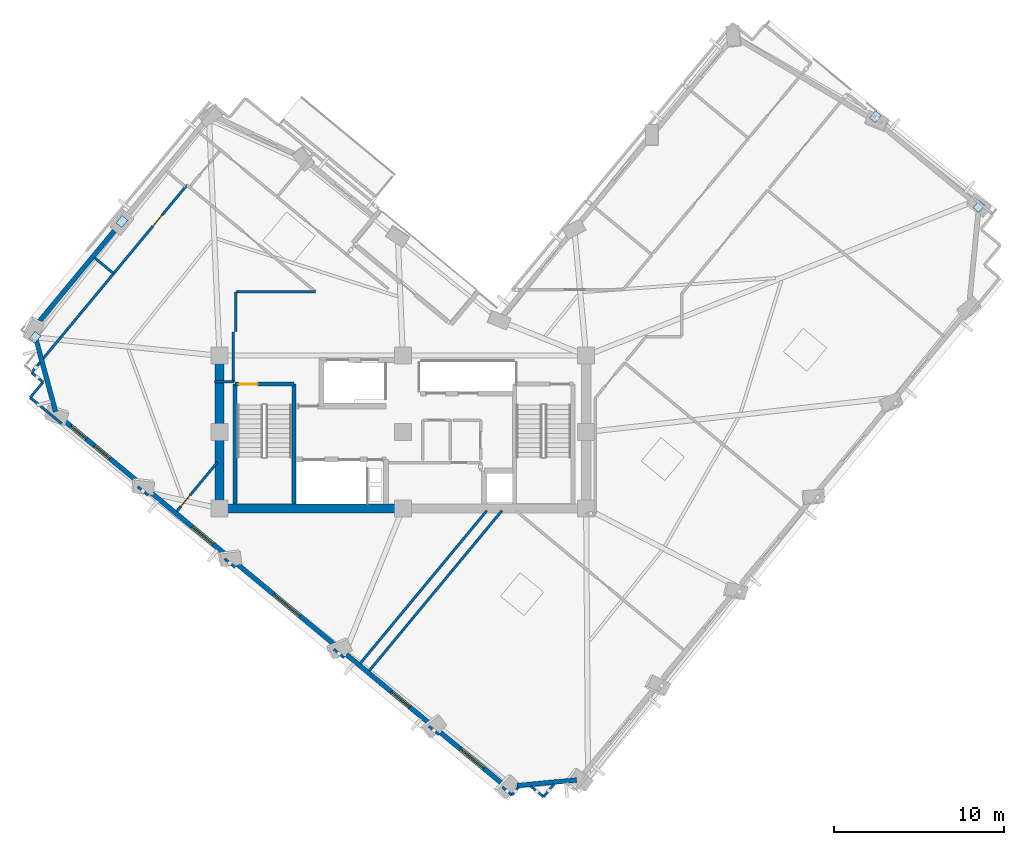
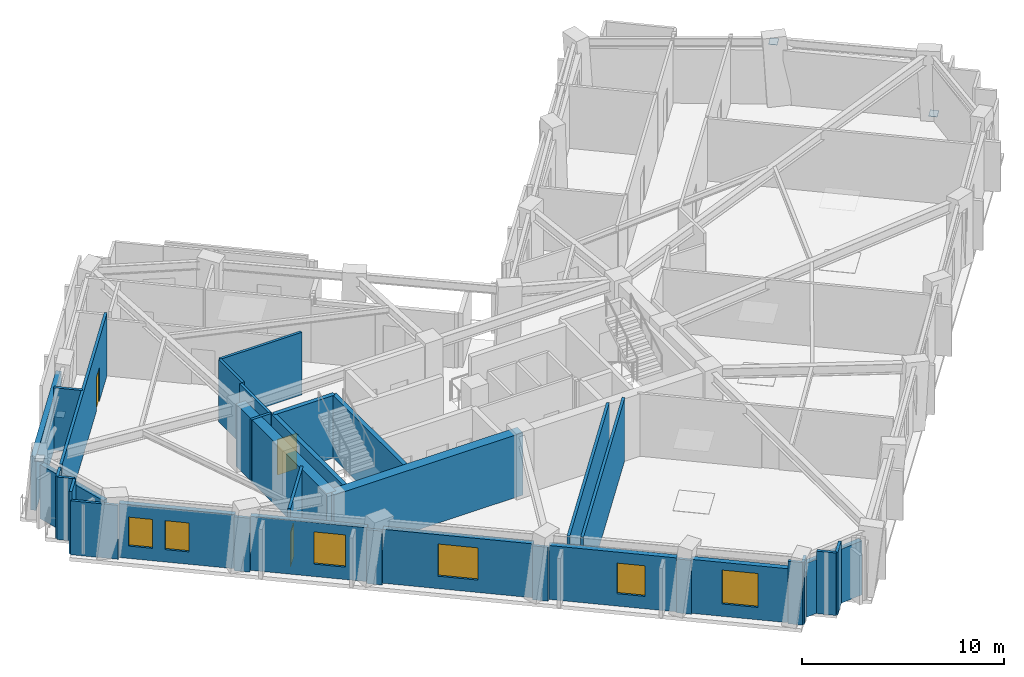
# One storey, part 4 of 10: 34 walls, 6 windows, 4 plates, 3 doors, 9 openings.
"""IFC4 building model written with IfcOpenShell, lengths in metres."""

from ifc_helpers import new_model, si_unit, direction, frame, frame_2d, origin, origin_2d, place, context, subcontext, project, spatial, rectangle, extrude, material, layer, layer_set, type_object, element, fill, save


model = new_model("IFC4")

# Units and contexts
model_context = context("Model", 3, precision=1e-05, world=origin(), true_north=direction((0.0, 1.0)))
body_context = subcontext(model_context, "Body", "Model", "MODEL_VIEW")
ifc_project = project(units=[si_unit("LENGTHUNIT", "METRE"), si_unit("AREAUNIT", "SQUARE_METRE"), si_unit("VOLUMEUNIT", "CUBIC_METRE"), si_unit("PLANEANGLEUNIT", "RADIAN"), si_unit("MASSUNIT", "GRAM", prefix="KILO")], contexts=[model_context])

# Site, building, storey
site_placement = place(None, origin())
site = spatial("IfcSite", under=ifc_project, at=site_placement, CompositionType="ELEMENT")
building_placement = place(site_placement, origin())
building = spatial("IfcBuilding", under=site, at=building_placement, Name="Gaonmaruhae Medical Tower", CompositionType="ELEMENT")
storey_placement = place(building_placement, frame((0.0, 0.0, 239.199951171875)))
storey = spatial("IfcBuildingStorey", under=building, at=storey_placement, Name="L57", CompositionType="ELEMENT", Elevation=239.199951171875)

# Plates
ifc_material_1 = material(Name="Steel HSA650 (650 MPa)", Category="steel")
ifc_layer_1 = layer(ifc_material_1, 0.028076171875)
ifc_layer_set_1 = layer_set([ifc_layer_1], Name="Steel HSA650 (650 MPa)")
plate_type = type_object("IfcPlateType", Name="GP-02 Tube Brace End Cap Gusset Plate", PredefinedType="USERDEFINED", material=ifc_layer_set_1)
for number, where, z_axis, x_axis, name in (
    (1, (58.738037109375, 25.591552734375, 0.23583984375), (0.0, 0.0, 1.0), (0.638096146601, 0.769956692089, 0.0), "L57 Gusset Cap Plate PLT-L57-PBR-E01A"),
    (2, (52.634033203125, 30.88525390625, 3.51611328125), (0.0, 0.0, 1.0), (0.625242656336, 0.780430407338, 0.0), "L57 Gusset Cap Plate PLT-L57-PBR-E01B"),
    (3, (8.25537109375, 24.69921875, 0.23583984375), (0.0, 0.0, 1.0), (0.638096146601, 0.769956692089, 0.0), "L57 Gusset Cap Plate PLT-L57-PBR-N02A"),
    (4, (3.133544921875, 17.87939453125, 3.51611328125), (0.0, 0.0, 1.0), (0.625242656336, 0.780430407338, 0.0), "L57 Gusset Cap Plate PLT-L57-PBR-N02B"),
):
    element("IfcPlate", number, at=place(storey_placement, frame(where, z_axis=z_axis, x_axis=x_axis)), inside=storey, type_object=plate_type, Name=name, ObjectType="GUSSET_PLATE", PredefinedType="USERDEFINED", context=body_context, shape_type="SweptSolid", body=[
        extrude(rectangle(XDim=0.56005859375, YDim=0.43994140625, at=origin_2d()), origin(), (0.0, 0.0, 1.0), 0.028076171875),
    ])

# Walls
ifc_material_2 = material(Name="Concrete C50/60", Category="concrete")
ifc_layer_2 = layer(ifc_material_2, 0.550048828125)
ifc_layer_set_2 = layer_set([ifc_layer_2], Name="Concrete C50/60")
wall_type_1 = type_object("IfcWallType", Name="CW-550 Mid-High Core Shear Wall", PredefinedType="SHEAR", material=ifc_layer_set_2)
wall_1_placement = place(storey_placement, frame((14.0, 7.800048828125, 0.0), z_axis=(0.0, 0.0, 1.0), x_axis=(1.0, 0.0, 0.0)))
element("IfcWall", 5, at=wall_1_placement, inside=storey, type_object=wall_type_1, Name="L57 Core Shear Wall CSW-S1", PredefinedType="SHEAR", context=body_context, shape_type="SweptSolid", body=[
    extrude(rectangle(XDim=10.800048828125, YDim=0.550048828125, at=frame_2d((5.39990234375, 0.0))), origin(), (0.0, 0.0, 1.0), 3.780029296875),
])
wall_2_placement = place(storey_placement, frame((14.0, 16.800048828125, 0.0), z_axis=(0.0, 0.0, 1.0), x_axis=(0.0, -1.0, 0.0)))
element("IfcWall", 6, at=wall_2_placement, inside=storey, type_object=wall_type_1, Name="L57 Core Shear Wall CSW-W1", PredefinedType="SHEAR", context=body_context, shape_type="SweptSolid", body=[
    extrude(rectangle(XDim=9.0, YDim=0.550048828125, at=frame_2d((4.5, 0.0))), origin(), (0.0, 0.0, 1.0), 3.780029296875),
])
ifc_material_3 = material(Name="Precast concrete C45/55", Category="concrete")
ifc_layer_3 = layer(ifc_material_3, 0.280029296875)
ifc_layer_set_3 = layer_set([ifc_layer_3], Name="Precast concrete C45/55")
wall_type_2 = type_object("IfcWallType", Name="EW-280 Upper Precast Masonry-Frame Facade Wall", PredefinedType="SOLIDWALL", material=ifc_layer_set_3)
wall_3_placement = place(storey_placement, frame((3.138916015625, 18.525390625, 0.0), z_axis=(0.0, 0.0, 1.0), x_axis=(0.638086936141, 0.7699643251, 0.0)))
element("IfcWall", 7, at=wall_3_placement, inside=storey, type_object=wall_type_2, Name="L57 Precast Masonry-Frame Wall N02-N03", PredefinedType="SOLIDWALL", context=body_context, shape_type="SweptSolid", body=[
    extrude(rectangle(XDim=7.484619140625, YDim=0.280029296875, at=frame_2d((3.7421875, 0.0))), origin(), (0.0, 0.0, 1.0), 3.26513671875),
])
wall_4_placement = place(storey_placement, frame((4.344970703125, 13.4970703125, 0.0), z_axis=(0.0, 0.0, 1.0), x_axis=(-0.261087581649, 0.965315116793, 0.0)))
element("IfcWall", 8, at=wall_4_placement, inside=storey, type_object=wall_type_2, Name="L57 Precast Masonry-Frame Wall N03-W01", PredefinedType="SOLIDWALL", context=body_context, shape_type="SweptSolid", body=[
    extrude(rectangle(XDim=4.407958984375, YDim=0.280029296875, at=frame_2d((2.2041015625, 0.0))), origin(), (0.0, 0.0, 1.0), 3.26513671875),
])

# Wall, openings, windows
wall_5_placement = place(storey_placement, frame((9.3369140625, 9.256591796875, 0.0), z_axis=(0.0, 0.0, 1.0), x_axis=(-0.769975712562, 0.638073194911, 0.0)))
wall_5 = element("IfcWall", 9, at=wall_5_placement, inside=storey, type_object=wall_type_2, Name="L57 Precast Masonry-Frame Wall W01-W02", PredefinedType="SOLIDWALL", context=body_context, shape_type="SweptSolid", body=[
    extrude(rectangle(XDim=5.830322265625, YDim=0.280029296875, at=frame_2d((2.9150390625, 0.0))), origin(), (0.0, 0.0, 1.0), 3.26513671875),
])
opening_1_placement = place(wall_5_placement, frame((2.311279296875, 0.0, 0.75)))
opening_1 = element("IfcOpeningElement", 10, at=opening_1_placement, cuts=wall_5, Name="Opening WN-05", PredefinedType="OPENING", context=body_context, shape_type="SweptSolid", body=[
    extrude(rectangle(XDim=1.199951171875, YDim=1.75, at=frame_2d((0.60009765625, 0.875))), frame((0.0, 0.14990234375, 0.0), z_axis=(0.0, -1.0, 0.0), x_axis=(1.0, 0.0, 0.0)), (0.0, 0.0, 1.0), 0.300048828125),
])
opening_2_placement = place(wall_5_placement, frame((4.13037109375, 0.0, 0.75)))
opening_2 = element("IfcOpeningElement", 11, at=opening_2_placement, cuts=wall_5, Name="Opening WN-05", PredefinedType="OPENING", context=body_context, shape_type="SweptSolid", body=[
    extrude(rectangle(XDim=1.199951171875, YDim=1.75, at=frame_2d((0.60009765625, 0.875))), frame((0.0, 0.14990234375, 0.0), z_axis=(0.0, -1.0, 0.0), x_axis=(1.0, 0.0, 0.0)), (0.0, 0.0, 1.0), 0.300048828125),
])
ifc_material_4 = material(Name="Anodised aluminium and Low-E double glazing", Category="aluminium")
window_type_1 = type_object("IfcWindowType", Name="WN-05 Support & Staff Punched Window 1200x1750", PartitioningType="SINGLE_PANEL", PredefinedType="WINDOW", material=ifc_material_4)
window_1_placement = place(opening_1_placement, origin())
window_1 = element("IfcWindow", 12, at=window_1_placement, inside=storey, type_object=window_type_1, Name="L57 Modular Facade Window W01", OverallHeight=1.75, OverallWidth=1.199951171875, PartitioningType="SINGLE_PANEL", PredefinedType="WINDOW", context=body_context, shape_type="SweptSolid", body=[
    extrude(rectangle(XDim=1.199951171875, YDim=1.75, at=frame_2d((0.60009765625, 0.875))), frame((0.0, 0.030029296875, 0.0), z_axis=(0.0, -1.0, 0.0), x_axis=(1.0, 0.0, 0.0)), (0.0, 0.0, 1.0), 0.06005859375),
])
fill(opening_1, window_1)
window_2_placement = place(opening_2_placement, origin())
window_2 = element("IfcWindow", 13, at=window_2_placement, inside=storey, type_object=window_type_1, Name="L57 Modular Facade Window W01B", OverallHeight=1.75, OverallWidth=1.199951171875, PartitioningType="SINGLE_PANEL", PredefinedType="WINDOW", context=body_context, shape_type="SweptSolid", body=[
    extrude(rectangle(XDim=1.199951171875, YDim=1.75, at=frame_2d((0.60009765625, 0.875))), frame((0.0, 0.030029296875, 0.0), z_axis=(0.0, -1.0, 0.0), x_axis=(1.0, 0.0, 0.0)), (0.0, 0.0, 1.0), 0.06005859375),
])
fill(opening_2, window_2)

# Wall, opening, window
wall_6_placement = place(storey_placement, frame((14.452392578125, 5.01708984375, 0.0), z_axis=(0.0, 0.0, 1.0), x_axis=(-0.769946129404, 0.638108891817, 0.0)))
wall_6 = element("IfcWall", 14, at=wall_6_placement, inside=storey, type_object=wall_type_2, Name="L57 Precast Masonry-Frame Wall W02-W03", PredefinedType="SOLIDWALL", context=body_context, shape_type="SweptSolid", body=[
    extrude(rectangle(XDim=5.861083984375, YDim=0.280029296875, at=frame_2d((2.9306640625, 0.0))), origin(), (0.0, 0.0, 1.0), 3.26513671875),
])
opening_3_placement = place(wall_6_placement, frame((1.07275390625, 0.0, 0.75)))
opening_3 = element("IfcOpeningElement", 15, at=opening_3_placement, cuts=wall_6, Name="Opening WN-01", PredefinedType="OPENING", context=body_context, shape_type="SweptSolid", body=[
    extrude(rectangle(XDim=1.60009765625, YDim=1.949951171875, at=frame_2d((0.800048828125, 0.97509765625))), frame((0.0, 0.14990234375, 0.0), z_axis=(0.0, -1.0, 0.0), x_axis=(1.0, 0.0, 0.0)), (0.0, 0.0, 1.0), 0.300048828125),
])
window_type_2 = type_object("IfcWindowType", Name="WN-01 Ward Punched Acoustic Window 1600x1950", PartitioningType="SINGLE_PANEL", PredefinedType="WINDOW", material=ifc_material_4)
window_3_placement = place(opening_3_placement, origin())
window_3 = element("IfcWindow", 16, at=window_3_placement, inside=storey, type_object=window_type_2, Name="L57 Modular Facade Window W02", OverallHeight=1.949951171875, OverallWidth=1.60009765625, PartitioningType="SINGLE_PANEL", PredefinedType="WINDOW", context=body_context, shape_type="SweptSolid", body=[
    extrude(rectangle(XDim=1.60009765625, YDim=1.949951171875, at=frame_2d((0.800048828125, 0.97509765625))), frame((0.0, 0.030029296875, 0.0), z_axis=(0.0, -1.0, 0.0), x_axis=(1.0, 0.0, 0.0)), (0.0, 0.0, 1.0), 0.06005859375),
])
fill(opening_3, window_3)

wall_7_placement = place(storey_placement, frame((20.8837890625, -0.312744140625, 0.0), z_axis=(0.0, 0.0, 1.0), x_axis=(-0.769952639839, 0.638101036205, 0.0)))
wall_7 = element("IfcWall", 17, at=wall_7_placement, inside=storey, type_object=wall_type_2, Name="L57 Precast Masonry-Frame Wall W03-W04", PredefinedType="SOLIDWALL", context=body_context, shape_type="SweptSolid", body=[
    extrude(rectangle(XDim=7.558349609375, YDim=0.280029296875, at=frame_2d((3.779296875, 0.0))), origin(), (0.0, 0.0, 1.0), 3.26513671875),
])
opening_4_placement = place(wall_7_placement, frame((2.7802734375, 0.0, 0.75)))
opening_4 = element("IfcOpeningElement", 18, at=opening_4_placement, cuts=wall_7, Name="Opening WN-02", PredefinedType="OPENING", context=body_context, shape_type="SweptSolid", body=[
    extrude(rectangle(XDim=2.0, YDim=1.949951171875, at=frame_2d((1.0, 0.97509765625))), frame((0.0, 0.14990234375, 0.0), z_axis=(0.0, -1.0, 0.0), x_axis=(1.0, 0.0, 0.0)), (0.0, 0.0, 1.0), 0.300048828125),
])
window_type_3 = type_object("IfcWindowType", Name="WN-02 Double-Bed Ward Punched Window 2000x1950", PartitioningType="SINGLE_PANEL", PredefinedType="WINDOW", material=ifc_material_4)
window_4_placement = place(opening_4_placement, origin())
window_4 = element("IfcWindow", 19, at=window_4_placement, inside=storey, type_object=window_type_3, Name="L57 Modular Facade Window W03", OverallHeight=1.949951171875, OverallWidth=2.0, PartitioningType="SINGLE_PANEL", PredefinedType="WINDOW", context=body_context, shape_type="SweptSolid", body=[
    extrude(rectangle(XDim=2.0, YDim=1.949951171875, at=frame_2d((1.0, 0.97509765625))), frame((0.0, 0.030029296875, 0.0), z_axis=(0.0, -1.0, 0.0), x_axis=(1.0, 0.0, 0.0)), (0.0, 0.0, 1.0), 0.06005859375),
])
fill(opening_4, window_4)

wall_8_placement = place(storey_placement, frame((26.43701171875, -4.9150390625, 0.0), z_axis=(0.0, 0.0, 1.0), x_axis=(-0.76995328518, 0.638100257515, 0.0)))
wall_8 = element("IfcWall", 20, at=wall_8_placement, inside=storey, type_object=wall_type_2, Name="L57 Precast Masonry-Frame Wall W04-W05", PredefinedType="SOLIDWALL", context=body_context, shape_type="SweptSolid", body=[
    extrude(rectangle(XDim=6.425048828125, YDim=0.280029296875, at=frame_2d((3.21240234375, 0.0))), origin(), (0.0, 0.0, 1.0), 3.26513671875),
])
opening_5_placement = place(wall_8_placement, frame((1.59765625, 0.0, 0.75)))
opening_5 = element("IfcOpeningElement", 21, at=opening_5_placement, cuts=wall_8, Name="Opening WN-03", PredefinedType="OPENING", context=body_context, shape_type="SweptSolid", body=[
    extrude(rectangle(XDim=1.39990234375, YDim=1.85009765625, at=frame_2d((0.699951171875, 0.925048828125))), frame((0.0, 0.14990234375, 0.0), z_axis=(0.0, -1.0, 0.0), x_axis=(1.0, 0.0, 0.0)), (0.0, 0.0, 1.0), 0.300048828125),
])
window_type_4 = type_object("IfcWindowType", Name="WN-03 Isolation Ward Punched Window 1400x1850", PartitioningType="SINGLE_PANEL", PredefinedType="WINDOW", material=ifc_material_4)
window_5_placement = place(opening_5_placement, origin())
window_5 = element("IfcWindow", 22, at=window_5_placement, inside=storey, type_object=window_type_4, Name="L57 Modular Facade Window W04", OverallHeight=1.85009765625, OverallWidth=1.39990234375, PartitioningType="SINGLE_PANEL", PredefinedType="WINDOW", context=body_context, shape_type="SweptSolid", body=[
    extrude(rectangle(XDim=1.39990234375, YDim=1.85009765625, at=frame_2d((0.699951171875, 0.925048828125))), frame((0.0, 0.030029296875, 0.0), z_axis=(0.0, -1.0, 0.0), x_axis=(1.0, 0.0, 0.0)), (0.0, 0.0, 1.0), 0.06005859375),
])
fill(opening_5, window_5)

wall_9_placement = place(storey_placement, frame((30.76171875, -8.499267578125, 0.0), z_axis=(0.0, 0.0, 1.0), x_axis=(-0.769945331532, 0.638109854533, 0.0)))
wall_9 = element("IfcWall", 23, at=wall_9_placement, inside=storey, type_object=wall_type_2, Name="L57 Precast Masonry-Frame Wall W05-W06", PredefinedType="SOLIDWALL", context=body_context, shape_type="SweptSolid", body=[
    extrude(rectangle(XDim=4.85546875, YDim=0.280029296875, at=frame_2d((2.427734375, 0.0))), origin(), (0.0, 0.0, 1.0), 3.26513671875),
])
opening_6_placement = place(wall_9_placement, frame((1.53271484375, 0.0, 0.75)))
opening_6 = element("IfcOpeningElement", 24, at=opening_6_placement, cuts=wall_9, Name="Opening WN-04", PredefinedType="OPENING", context=body_context, shape_type="SweptSolid", body=[
    extrude(rectangle(XDim=1.800048828125, YDim=2.050048828125, at=frame_2d((0.89990234375, 1.02490234375))), frame((0.0, 0.14990234375, 0.0), z_axis=(0.0, -1.0, 0.0), x_axis=(1.0, 0.0, 0.0)), (0.0, 0.0, 1.0), 0.300048828125),
])
window_type_5 = type_object("IfcWindowType", Name="WN-04 Clinic & Consult Punched Window 1800x2050", PartitioningType="SINGLE_PANEL", PredefinedType="WINDOW", material=ifc_material_4)
window_6_placement = place(opening_6_placement, origin())
window_6 = element("IfcWindow", 25, at=window_6_placement, inside=storey, type_object=window_type_5, Name="L57 Modular Facade Window W05", OverallHeight=2.050048828125, OverallWidth=1.800048828125, PartitioningType="SINGLE_PANEL", PredefinedType="WINDOW", context=body_context, shape_type="SweptSolid", body=[
    extrude(rectangle(XDim=1.800048828125, YDim=2.050048828125, at=frame_2d((0.89990234375, 1.02490234375))), frame((0.0, 0.030029296875, 0.0), z_axis=(0.0, -1.0, 0.0), x_axis=(1.0, 0.0, 0.0)), (0.0, 0.0, 1.0), 0.06005859375),
])
fill(opening_6, window_6)

# Walls
wall_10_placement = place(storey_placement, frame((35.038818359375, -8.196044921875, 0.0), z_axis=(0.0, 0.0, 1.0), x_axis=(-0.995641673664, -0.093261233448, 0.0)))
element("IfcWall", 26, at=wall_10_placement, inside=storey, type_object=wall_type_2, Name="L57 Precast Masonry-Frame Wall W06-S01", PredefinedType="SOLIDWALL", context=body_context, shape_type="SweptSolid", body=[
    extrude(rectangle(XDim=3.52099609375, YDim=0.280029296875, at=frame_2d((1.760498046875, 0.0))), origin(), (0.0, 0.0, 1.0), 3.26513671875),
])
ifc_material_5 = material(Name="Gypsum board partition", Category="gypsum")
ifc_layer_4 = layer(ifc_material_5, 0.14990234375)
ifc_layer_set_4 = layer_set([ifc_layer_4], Name="Gypsum board partition")
wall_type_3 = type_object("IfcWallType", Name="PW-150 Rated Clinical Corridor Partition", PredefinedType="PARTITIONING", material=ifc_layer_set_4)
wall_11_placement = place(storey_placement, frame((33.091064453125, -9.195068359375, 0.0), z_axis=(0.0, 0.0, 1.0), x_axis=(-0.769820193793, 0.638260815991, 0.0)))
element("IfcWall", 27, at=wall_11_placement, inside=storey, type_object=wall_type_3, Name="L57 Interior Partition L57-SUP01-8", PredefinedType="PARTITIONING", context=body_context, shape_type="SweptSolid", body=[
    extrude(rectangle(XDim=0.9873046875, YDim=0.14990234375, at=frame_2d((0.49365234375, 0.0))), origin(), (0.0, 0.0, 1.0), 3.780029296875),
])
wall_12_placement = place(storey_placement, frame((31.60888671875, -8.633056640625, 0.0), z_axis=(0.0, 0.0, 1.0), x_axis=(-0.638588185389, -0.769548653096, 0.0)))
element("IfcWall", 28, at=wall_12_placement, inside=storey, type_object=wall_type_3, Name="L57 Interior Partition L57-SUP01-9", PredefinedType="PARTITIONING", context=body_context, shape_type="SweptSolid", body=[
    extrude(rectangle(XDim=0.587158203125, YDim=0.14990234375, at=frame_2d((0.29345703125, 0.0))), origin(), (0.0, 0.0, 1.0), 3.780029296875),
])
wall_13_placement = place(storey_placement, frame((31.23388671875, -9.0849609375, 0.0), z_axis=(0.0, 0.0, 1.0), x_axis=(-0.769738130015, 0.638359781942, 0.0)))
element("IfcWall", 29, at=wall_13_placement, inside=storey, type_object=wall_type_3, Name="L57 Interior Partition L57-SUP01-10", PredefinedType="PARTITIONING", context=body_context, shape_type="SweptSolid", body=[
    extrude(rectangle(XDim=0.73779296875, YDim=0.14990234375, at=frame_2d((0.368896484375, 0.0))), origin(), (0.0, 0.0, 1.0), 3.780029296875),
])
wall_14_placement = place(storey_placement, frame((26.927978515625, -5.51611328125, 0.0), z_axis=(0.0, 0.0, 1.0), x_axis=(-0.769638807152, 0.6384795271, 0.0)))
element("IfcWall", 30, at=wall_14_placement, inside=storey, type_object=wall_type_3, Name="L57 Interior Partition L57-SUP01-11", PredefinedType="PARTITIONING", context=body_context, shape_type="SweptSolid", body=[
    extrude(rectangle(XDim=0.76123046875, YDim=0.14990234375, at=frame_2d((0.380615234375, 0.0))), origin(), (0.0, 0.0, 1.0), 3.26513671875),
])
wall_15_placement = place(storey_placement, frame((22.818115234375, -1.76611328125, 0.0), z_axis=(0.0, 0.0, 1.0), x_axis=(0.638080601812, 0.769969574458, 0.0)))
element("IfcWall", 31, at=wall_15_placement, inside=storey, type_object=wall_type_3, Name="L57 Interior Partition L57-SUP01-12", PredefinedType="PARTITIONING", context=body_context, shape_type="SweptSolid", body=[
    extrude(rectangle(XDim=12.26171875, YDim=0.14990234375, at=frame_2d((6.130859375, 0.0))), origin(), (0.0, 0.0, 1.0), 3.780029296875),
])
wall_16_placement = place(storey_placement, frame((33.720947265625, -8.43505859375, 0.0), z_axis=(0.0, 0.0, 1.0), x_axis=(-0.638114230292, -0.769941705, 0.0)))
element("IfcWall", 32, at=wall_16_placement, inside=storey, type_object=wall_type_3, Name="L57 Interior Partition L57-SUP01-17", PredefinedType="PARTITIONING", context=body_context, shape_type="SweptSolid", body=[
    extrude(rectangle(XDim=0.987060546875, YDim=0.14990234375, at=frame_2d((0.49365234375, 0.0))), origin(), (0.0, 0.0, 1.0), 3.780029296875),
])
wall_17_placement = place(storey_placement, frame((29.751953125, 7.675048828125, 0.0), z_axis=(0.0, 0.0, 1.0), x_axis=(-0.63808541453, -0.769965586091, 0.0)))
element("IfcWall", 33, at=wall_17_placement, inside=storey, type_object=wall_type_3, Name="L57 Interior Partition L57-WOF05-40", PredefinedType="PARTITIONING", context=body_context, shape_type="SweptSolid", body=[
    extrude(rectangle(XDim=11.6943359375, YDim=0.14990234375, at=frame_2d((5.84716796875, 0.0))), origin(), (0.0, 0.0, 1.0), 3.780029296875),
])
wall_18_placement = place(storey_placement, frame((21.343017578125, -0.992919921875, 0.0), z_axis=(0.0, 0.0, 1.0), x_axis=(-0.769490374498, 0.638658409132, 0.0)))
element("IfcWall", 34, at=wall_18_placement, inside=storey, type_object=wall_type_3, Name="L57 Interior Partition L57-WOF05-41", PredefinedType="PARTITIONING", context=body_context, shape_type="SweptSolid", body=[
    extrude(rectangle(XDim=0.78759765625, YDim=0.14990234375, at=frame_2d((0.393798828125, 0.0))), origin(), (0.0, 0.0, 1.0), 3.26513671875),
])
wall_19_placement = place(storey_placement, frame((14.9169921875, 4.3330078125, 0.0), z_axis=(0.0, 0.0, 1.0), x_axis=(-0.77005605236, 0.637976234843, 0.0)))
element("IfcWall", 35, at=wall_19_placement, inside=storey, type_object=wall_type_3, Name="L57 Interior Partition L57-WOF05-42", PredefinedType="PARTITIONING", context=body_context, shape_type="SweptSolid", body=[
    extrude(rectangle(XDim=0.794921875, YDim=0.14990234375, at=frame_2d((0.3974609375, 0.0))), origin(), (0.0, 0.0, 1.0), 3.26513671875),
])

# Wall, opening, door
wall_20_placement = place(storey_placement, frame((11.47998046875, 7.6298828125, 0.0), z_axis=(0.0, 0.0, 1.0), x_axis=(0.638198593055, 0.769871778819, 0.0)))
wall_20 = element("IfcWall", 36, at=wall_20_placement, inside=storey, type_object=wall_type_3, Name="L57 Interior Partition L57-WOF05-43", PredefinedType="PARTITIONING", context=body_context, shape_type="SweptSolid", body=[
    extrude(rectangle(XDim=3.752685546875, YDim=0.14990234375, at=frame_2d((1.87646484375, 0.0))), origin(), (0.0, 0.0, 1.0), 3.780029296875),
])
opening_7_placement = place(wall_20_placement, frame((0.3828125, 0.0, 0.0)))
opening_7 = element("IfcOpeningElement", 37, at=opening_7_placement, cuts=wall_20, Name="Opening AD-01", PredefinedType="OPENING", context=body_context, shape_type="SweptSolid", body=[
    extrude(rectangle(XDim=0.860107421875, YDim=2.06005859375, at=frame_2d((0.43017578125, 1.030029296875))), frame((0.0, 0.0849609375, 0.0), z_axis=(0.0, -1.0, 0.0), x_axis=(1.0, 0.0, 0.0)), (0.0, 0.0, 1.0), 0.169921875),
])
ifc_material_6 = material(Name="Powder-coated steel access door", Category="steel")
door_type_1 = type_object("IfcDoorType", Name="AD-01 Riser & Closet Access Fire Door 860x2060", OperationType="NOTDEFINED", PredefinedType="DOOR", material=ifc_material_6)
door_1_placement = place(opening_7_placement, origin())
door_1 = element("IfcDoor", 38, at=door_1_placement, inside=storey, type_object=door_type_1, Name="L57 Ward Physician Reporting Office Sliding Door", OperationType="SLIDING_TO_LEFT", OverallHeight=2.06005859375, OverallWidth=0.860107421875, PredefinedType="DOOR", context=body_context, shape_type="SweptSolid", body=[
    extrude(rectangle(XDim=0.860107421875, YDim=2.06005859375, at=frame_2d((0.43017578125, 1.030029296875))), frame((0.0, 0.02490234375, 0.0), z_axis=(0.0, -1.0, 0.0), x_axis=(1.0, 0.0, 0.0)), (0.0, 0.0, 1.0), 0.050048828125),
])
fill(opening_7, door_1)

# Walls
wall_21_placement = place(storey_placement, frame((14.969970703125, 20.550048828125, 0.0), z_axis=(0.0, 0.0, 1.0), x_axis=(0.0, -1.0, 0.0)))
element("IfcWall", 39, at=wall_21_placement, inside=storey, type_object=wall_type_3, Name="L57 Interior Partition L57-WOF06-44", PredefinedType="PARTITIONING", context=body_context, shape_type="SweptSolid", body=[
    extrude(rectangle(XDim=2.320068359375, YDim=0.14990234375, at=frame_2d((1.16015625, 0.0))), origin(), (0.0, 0.0, 1.0), 3.780029296875),
])
wall_22_placement = place(storey_placement, frame((14.820068359375, 18.199951171875, 0.0), z_axis=(0.0, 0.0, 1.0), x_axis=(0.0, -1.0, 0.0)))
element("IfcWall", 40, at=wall_22_placement, inside=storey, type_object=wall_type_3, Name="L57 Interior Partition L57-WOF06-45", PredefinedType="PARTITIONING", context=body_context, shape_type="SweptSolid", body=[
    extrude(rectangle(XDim=2.93994140625, YDim=0.14990234375, at=frame_2d((1.469970703125, 0.0))), origin(), (0.0, 0.0, 1.0), 3.780029296875),
])
wall_23_placement = place(storey_placement, frame((14.820068359375, 15.260009765625, 0.0), z_axis=(0.0, 0.0, 1.0), x_axis=(-1.0, 0.0, 0.0)))
element("IfcWall", 41, at=wall_23_placement, inside=storey, type_object=wall_type_3, Name="L57 Interior Partition L57-WOF06-46", PredefinedType="PARTITIONING", context=body_context, shape_type="SweptSolid", body=[
    extrude(rectangle(XDim=1.1201171875, YDim=0.14990234375, at=frame_2d((0.56005859375, 0.0))), origin(), (0.0, 0.0, 1.0), 3.780029296875),
])
wall_24_placement = place(storey_placement, frame((9.79296875, 8.580078125, 0.0), z_axis=(0.0, 0.0, 1.0), x_axis=(-0.770415452157, 0.637542179842, 0.0)))
element("IfcWall", 42, at=wall_24_placement, inside=storey, type_object=wall_type_3, Name="L57 Interior Partition L57-WOF06-47", PredefinedType="PARTITIONING", context=body_context, shape_type="SweptSolid", body=[
    extrude(rectangle(XDim=0.78271484375, YDim=0.14990234375, at=frame_2d((0.391357421875, 0.0))), origin(), (0.0, 0.0, 1.0), 3.26513671875),
])
wall_25_placement = place(storey_placement, frame((4.700927734375, 12.800048828125, 0.0), z_axis=(0.0, 0.0, 1.0), x_axis=(-0.770114127934, 0.637906129423, 0.0)))
element("IfcWall", 43, at=wall_25_placement, inside=storey, type_object=wall_type_3, Name="L57 Interior Partition L57-WOF06-48", PredefinedType="PARTITIONING", context=body_context, shape_type="SweptSolid", body=[
    extrude(rectangle(XDim=2.40625, YDim=0.14990234375, at=frame_2d((1.203125, 0.0))), origin(), (0.0, 0.0, 1.0), 3.26513671875),
])
wall_26_placement = place(storey_placement, frame((2.847900390625, 14.3349609375, 0.0), z_axis=(0.0, 0.0, 1.0), x_axis=(0.638045894416, 0.769998335465, 0.0)))
element("IfcWall", 44, at=wall_26_placement, inside=storey, type_object=wall_type_3, Name="L57 Interior Partition L57-WOF06-49", PredefinedType="PARTITIONING", context=body_context, shape_type="SweptSolid", body=[
    extrude(rectangle(XDim=1.180419921875, YDim=0.14990234375, at=frame_2d((0.59033203125, 0.0))), origin(), (0.0, 0.0, 1.0), 3.780029296875),
])
wall_27_placement = place(storey_placement, frame((3.60107421875, 15.243896484375, 0.0), z_axis=(0.0, 0.0, 1.0), x_axis=(-0.770252550022, 0.637738982017, 0.0)))
element("IfcWall", 45, at=wall_27_placement, inside=storey, type_object=wall_type_3, Name="L57 Interior Partition L57-WOF06-50", PredefinedType="PARTITIONING", context=body_context, shape_type="SweptSolid", body=[
    extrude(rectangle(XDim=0.875244140625, YDim=0.14990234375, at=frame_2d((0.4375, 0.0))), origin(), (0.0, 0.0, 1.0), 3.780029296875),
])
wall_28_placement = place(storey_placement, frame((2.927001953125, 15.802001953125, 0.0), z_axis=(0.0, 0.0, 1.0), x_axis=(0.638225268777, 0.769849664736, 0.0)))
element("IfcWall", 46, at=wall_28_placement, inside=storey, type_object=wall_type_3, Name="L57 Interior Partition L57-WOF06-51", PredefinedType="PARTITIONING", context=body_context, shape_type="SweptSolid", body=[
    extrude(rectangle(XDim=0.797607421875, YDim=0.14990234375, at=frame_2d((0.39892578125, 0.0))), origin(), (0.0, 0.0, 1.0), 3.780029296875),
])

# Wall, opening, door
wall_29_placement = place(storey_placement, frame((3.615966796875, 16.633056640625, 0.0), z_axis=(0.0, 0.0, 1.0), x_axis=(0.638092036578, 0.769960098223, 0.0)))
wall_29 = element("IfcWall", 47, at=wall_29_placement, inside=storey, type_object=wall_type_3, Name="L57 Interior Partition L57-WOF06-52", PredefinedType="PARTITIONING", context=body_context, shape_type="SweptSolid", body=[
    extrude(rectangle(XDim=13.270751953125, YDim=0.14990234375, at=frame_2d((6.63525390625, 0.0))), origin(), (0.0, 0.0, 1.0), 3.780029296875),
])
opening_8_placement = place(wall_29_placement, frame((10.1162109375, 0.0, 0.0)))
opening_8 = element("IfcOpeningElement", 48, at=opening_8_placement, cuts=wall_29, Name="Opening AD-01", PredefinedType="OPENING", context=body_context, shape_type="SweptSolid", body=[
    extrude(rectangle(XDim=0.860107421875, YDim=2.06005859375, at=frame_2d((0.43017578125, 1.030029296875))), frame((0.0, 0.0849609375, 0.0), z_axis=(0.0, -1.0, 0.0), x_axis=(1.0, 0.0, 0.0)), (0.0, 0.0, 1.0), 0.169921875),
])
door_2_placement = place(opening_8_placement, origin())
door_2 = element("IfcDoor", 49, at=door_2_placement, inside=storey, type_object=door_type_1, Name="L57 Care Team Clinical Charting Office Sliding Door", OperationType="SLIDING_TO_LEFT", OverallHeight=2.06005859375, OverallWidth=0.860107421875, PredefinedType="DOOR", context=body_context, shape_type="SweptSolid", body=[
    extrude(rectangle(XDim=0.860107421875, YDim=2.06005859375, at=frame_2d((0.43017578125, 1.030029296875))), frame((0.0, 0.02490234375, 0.0), z_axis=(0.0, -1.0, 0.0), x_axis=(1.0, 0.0, 0.0)), (0.0, 0.0, 1.0), 0.050048828125),
])
fill(opening_8, door_2)

# Walls
wall_30_placement = place(storey_placement, frame((19.65087890625, 20.580078125, 0.0), z_axis=(0.0, 0.0, 1.0), x_axis=(-1.0, 0.0, 0.0)))
element("IfcWall", 50, at=wall_30_placement, inside=storey, type_object=wall_type_3, Name="L57 Interior Partition L57-WOF06-54", PredefinedType="PARTITIONING", context=body_context, shape_type="SweptSolid", body=[
    extrude(rectangle(XDim=4.65380859375, YDim=0.14990234375, at=frame_2d((2.326904296875, 0.0))), origin(), (0.0, 0.0, 1.0), 3.780029296875),
])
wall_31_placement = place(storey_placement, frame((7.7490234375, 21.65087890625, 0.0), z_axis=(0.0, 0.0, 1.0), x_axis=(-0.769954945351, 0.638098254291, 0.0)))
element("IfcWall", 51, at=wall_31_placement, inside=storey, type_object=wall_type_3, Name="L57 Interior Partition L57-RM02-84", PredefinedType="PARTITIONING", context=body_context, shape_type="SweptSolid", body=[
    extrude(rectangle(XDim=1.4404296875, YDim=0.14990234375, at=frame_2d((0.72021484375, 0.0))), origin(), (0.0, 0.0, 1.0), 3.780029296875),
])

# Wall, opening, door
ifc_layer_5 = layer(ifc_material_2, 0.239990234375)
ifc_layer_set_5 = layer_set([ifc_layer_5], Name="Concrete C50/60")
wall_type_4 = type_object("IfcWallType", Name="SW-240 Dogleg Stair Tight Shaft Wall", PredefinedType="SOLIDWALL", material=ifc_layer_set_5)
wall_32_placement = place(storey_placement, frame((14.919921875, 15.1201171875, 0.0), z_axis=(0.0, 0.0, 1.0), x_axis=(1.0, 0.0, 0.0)))
wall_32 = element("IfcWall", 52, at=wall_32_placement, inside=storey, type_object=wall_type_4, Name="L57 ST-01 Stair Shaft Wall SHW-ST-01-N", PredefinedType="SOLIDWALL", context=body_context, shape_type="SweptSolid", body=[
    extrude(rectangle(XDim=3.4599609375, YDim=0.239990234375, at=frame_2d((1.72998046875, 0.0))), origin(), (0.0, 0.0, 1.0), 3.780029296875),
])
opening_9_placement = place(wall_32_placement, frame((0.219970703125, 0.0, 0.0)))
opening_9 = element("IfcOpeningElement", 53, at=opening_9_placement, cuts=wall_32, Name="Opening FD-01", PredefinedType="OPENING", context=body_context, shape_type="SweptSolid", body=[
    extrude(rectangle(XDim=1.10009765625, YDim=2.14990234375, at=frame_2d((0.550048828125, 1.074951171875))), frame((0.0, 0.1298828125, 0.0), z_axis=(0.0, -1.0, 0.0), x_axis=(1.0, 0.0, 0.0)), (0.0, 0.0, 1.0), 0.260009765625),
])
ifc_material_7 = material(Name="Powder-coated steel fire door", Category="steel")
door_type_2 = type_object("IfcDoorType", Name="FD-01 Escape Stair Protected Fire Door 1100x2150", OperationType="NOTDEFINED", PredefinedType="DOOR", material=ifc_material_7)
door_3_placement = place(opening_9_placement, origin())
door_3 = element("IfcDoor", 54, at=door_3_placement, inside=storey, type_object=door_type_2, Name="L57 ST-01 Protected Escape Stair Door", OperationType="SINGLE_SWING_RIGHT", OverallHeight=2.14990234375, OverallWidth=1.10009765625, PredefinedType="DOOR", context=body_context, shape_type="SweptSolid", body=[
    extrude(rectangle(XDim=1.10009765625, YDim=2.14990234375, at=frame_2d((0.550048828125, 1.074951171875))), frame((0.0, 0.02490234375, 0.0), z_axis=(0.0, -1.0, 0.0), x_axis=(1.0, 0.0, 0.0)), (0.0, 0.0, 1.0), 0.050048828125),
])
fill(opening_9, door_3)

# Walls
for number, where, z_axis, x_axis, name in (
    (55, (18.3798828125, 15.1201171875, 0.0), (0.0, 0.0, 1.0), (0.0, -1.0, 0.0), "L57 ST-01 Stair Shaft Wall SHW-ST-01-E"),
    (56, (14.919921875, 8.074951171875, 0.0), (0.0, 0.0, 1.0), (0.0, 1.0, 0.0), "L57 ST-01 Stair Shaft Wall SHW-ST-01-W"),
):
    element("IfcWall", number, at=place(storey_placement, frame(where, z_axis=z_axis, x_axis=x_axis)), inside=storey, type_object=wall_type_4, Name=name, PredefinedType="SOLIDWALL", context=body_context, shape_type="SweptSolid", body=[
        extrude(rectangle(XDim=7.045166015625, YDim=0.239990234375, at=frame_2d((3.5224609375, 0.0))), origin(), (0.0, 0.0, 1.0), 3.780029296875),
    ])

save(model, "model.ifc")
